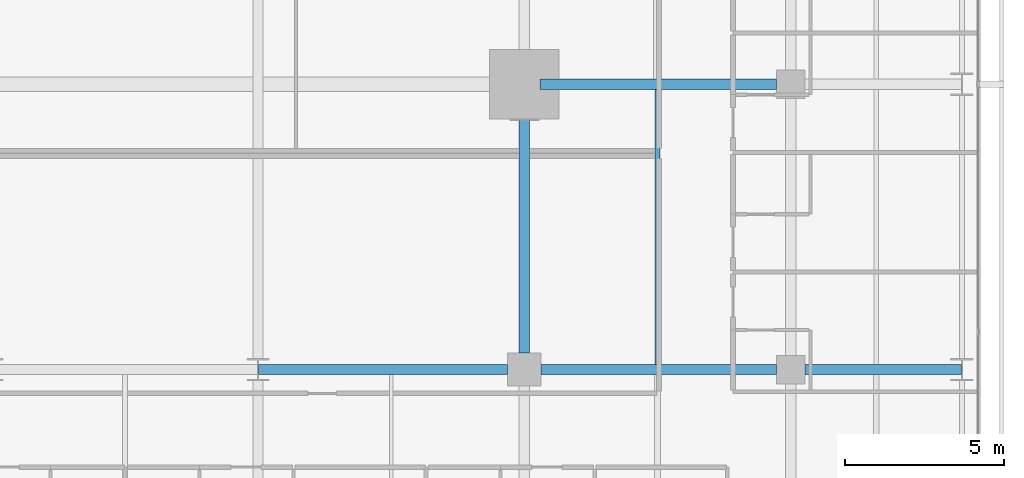
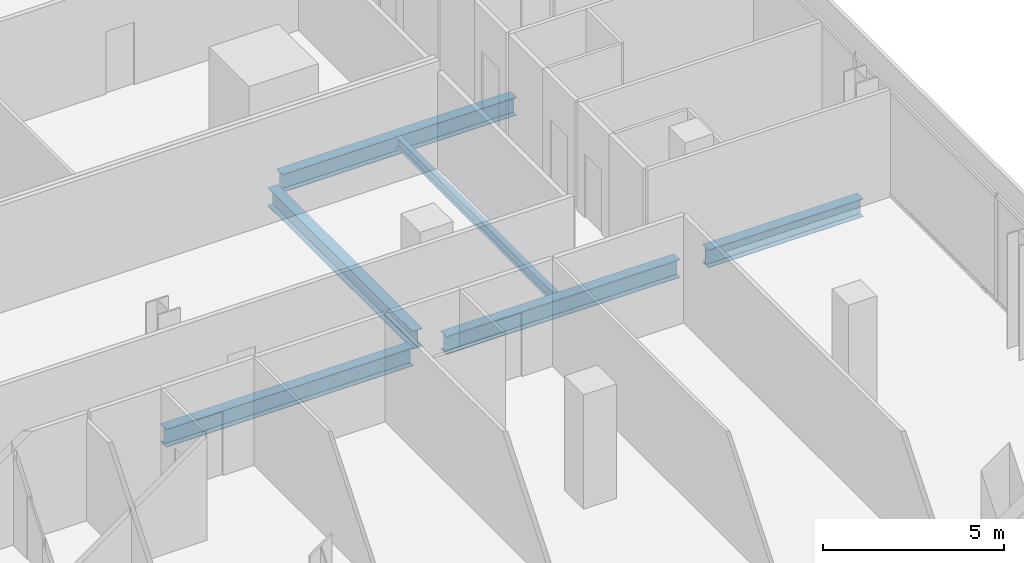
# One storey, part 18 of 40: 6 beams.
"""IFC4 building model written with IfcOpenShell, lengths in metres."""

import ifcopenshell
import ifcopenshell.guid

model = None  # the IFC model being written
_history = None  # IfcOwnerHistory: only IFC2X3 demands one
_inside = {}  # id of a spatial element -> (the spatial element, [elements in it])
_under = {}  # id of a project, library or spatial element -> (it, [spatial elements below it])
_declared = {}  # id of a project -> (the project, [libraries it declares])
_typed = {}  # id of a type object -> (the type object, [elements of that type])
_made_of = {}  # id of a material, layer set ... -> (it, [elements and type objects made of it])


def new_model(schema):
    """Start an empty IFC model of exactly this schema.

    Asked for "IFC4X3", IfcOpenShell would pick the latest addendum, in which some entities
    have other attributes; the version numbers below select the first issue.
    IFC2X3 requires an IfcOwnerHistory on every rooted entity: one is made here for all.
    """
    global model, _history
    if schema == "IFC4X3":
        model = ifcopenshell.file(schema_version=(4, 3, 0, 0))
    else:
        model = ifcopenshell.file(schema=schema)
    _inside.clear()
    _under.clear()
    _declared.clear()
    _typed.clear()
    _made_of.clear()
    _history = None
    if model.schema == "IFC2X3":
        org = make("IfcOrganization", Name="unknown")
        user = make(
            "IfcPersonAndOrganization",
            ThePerson=make("IfcPerson", FamilyName="unknown"),
            TheOrganization=org,
        )
        app = make(
            "IfcApplication",
            ApplicationDeveloper=org,
            Version="unknown",
            ApplicationFullName="unknown",
            ApplicationIdentifier="unknown",
        )
        _history = make(
            "IfcOwnerHistory",
            OwningUser=user,
            OwningApplication=app,
            ChangeAction="ADDED",
            CreationDate=0,
        )
    return model


def make(cls, **values):
    """One entity of the class cls with the attributes given. An attribute that is None is left unset."""
    return model.create_entity(
        cls, **{name: value for name, value in values.items() if value is not None}
    )


def rooted(cls, **values):
    """An entity with a GlobalId (a new one), such as an element, a storey or a relation."""
    return make(cls, GlobalId=ifcopenshell.guid.new(), OwnerHistory=_history, **values)


def si_unit(unit_type, name, prefix=None):
    """IfcSIUnit, for example si_unit("LENGTHUNIT", "METRE", prefix="MILLI")."""
    return make("IfcSIUnit", UnitType=unit_type, Prefix=prefix, Name=name)


def assignment(units):
    """IfcUnitAssignment: the units of a project."""
    return None if units is None else make("IfcUnitAssignment", Units=units)


def point(xyz):
    """IfcCartesianPoint."""
    return None if xyz is None else make("IfcCartesianPoint", Coordinates=xyz)


def direction(xyz):
    """IfcDirection."""
    return None if xyz is None else make("IfcDirection", DirectionRatios=xyz)


def frame(location, z_axis=None, x_axis=None):
    """IfcAxis2Placement3D, a coordinate frame: its origin and axes. An axis left out is left unset."""
    return make(
        "IfcAxis2Placement3D",
        Location=point(location),
        Axis=direction(z_axis),
        RefDirection=direction(x_axis),
    )


def frame_2d(location, x_axis=None):
    """IfcAxis2Placement2D, a coordinate frame in the plane: its origin and x axis."""
    return make(
        "IfcAxis2Placement2D", Location=point(location), RefDirection=direction(x_axis)
    )


def origin():
    """The frame at (0, 0, 0) with its axes left unset."""
    return frame((0.0, 0.0, 0.0))


def origin_2d():
    """The frame at (0, 0) in the plane with its x axis left unset."""
    return frame_2d((0.0, 0.0))


def place(relative_to, where):
    """IfcLocalPlacement: puts the frame where relative to a parent placement (None: the world)."""
    return make(
        "IfcLocalPlacement", PlacementRelTo=relative_to, RelativePlacement=where
    )


def context(
    kind, dimensions, precision=None, world=None, true_north=None, identifier=None
):
    """IfcGeometricRepresentationContext, for example the 3D "Model" context."""
    return make(
        "IfcGeometricRepresentationContext",
        ContextIdentifier=identifier,
        ContextType=kind,
        CoordinateSpaceDimension=dimensions,
        Precision=precision,
        WorldCoordinateSystem=world,
        TrueNorth=true_north,
    )


def subcontext(parent, identifier, kind, view, scale=None):
    """IfcGeometricRepresentationSubContext, for example "Body" below "Model"."""
    return make(
        "IfcGeometricRepresentationSubContext",
        ContextIdentifier=identifier,
        ContextType=kind,
        ParentContext=parent,
        TargetScale=scale,
        TargetView=view,
    )


def project(units=None, contexts=None):
    """IfcProject with its units and contexts."""
    return rooted(
        "IfcProject",
        Name="project",
        RepresentationContexts=contexts,
        UnitsInContext=assignment(units),
    )


def spatial(cls, under=None, at=None, **own):
    """A site, building, storey or space (cls), placed at a placement, below another one or the project."""
    s = rooted(cls, ObjectPlacement=at, **own)
    if under is not None:
        _under.setdefault(under.id(), (under, []))[1].append(s)
    return s


def profile(cls, at=None, kind="AREA", **sizes):
    """A parametric profile (cls). Its sizes go by their IFC names, for example OverallWidth=200.0."""
    return make(cls, ProfileType=kind, Position=at, **sizes)


def i_section(**sizes):
    """IfcIShapeProfileDef."""
    return profile("IfcIShapeProfileDef", **sizes)


def extrude(swept, where, along, depth):
    """IfcExtrudedAreaSolid: the profile swept, set in the frame where, extruded along a direction by depth."""
    return make(
        "IfcExtrudedAreaSolid",
        SweptArea=swept,
        Position=where,
        ExtrudedDirection=direction(along),
        Depth=depth,
    )


def shape(context_of_items, identifier, shape_type, items):
    """IfcShapeRepresentation: the items that make up one representation, for example the "Body"."""
    return make(
        "IfcShapeRepresentation",
        ContextOfItems=context_of_items,
        RepresentationIdentifier=identifier,
        RepresentationType=shape_type,
        Items=items,
    )


def material(Name=None, Category=None):
    """IfcMaterial."""
    return make("IfcMaterial", Name=Name, Category=Category)


def material_profile(
    of_material, cross_section, Name=None, Category=None, Priority=None
):
    """IfcMaterialProfile: a cross section and its material."""
    return make(
        "IfcMaterialProfile",
        Name=Name,
        Material=of_material,
        Profile=cross_section,
        Priority=Priority,
        Category=Category,
    )


def profile_set(profiles, Name=None, composite=None):
    """IfcMaterialProfileSet."""
    return make(
        "IfcMaterialProfileSet",
        Name=Name,
        MaterialProfiles=profiles,
        CompositeProfile=composite,
    )


def made_of(thing, what):
    """Note that an element or type object is made of a material, layer set ...; save() writes the relation."""
    if what is not None:
        _made_of.setdefault(what.id(), (what, []))[1].append(thing)
    return thing


def type_object(cls, material=None, **own):
    """A type object (cls), such as IfcWallType, which elements share."""
    return made_of(rooted(cls, **own), material)


def element(
    cls,
    number,
    at=None,
    inside=None,
    cuts=None,
    type_object=None,
    material=None,
    context=None,
    identifier="Body",
    shape_type=None,
    held_by="IfcProductDefinitionShape",
    body=None,
    shapes=None,
    **own,
):
    """One element of the class cls, such as IfcWall. Its Tag is "e" and its number.

    at: its placement. inside: the storey or other place that contains it. cuts: it is an
    opening in that element (IfcRelVoidsElement). A single representation is given by context,
    identifier, shape_type and body (its items); several are given by shapes. held_by: the class
    of the entity that holds the representations. save() writes the other relations.
    """
    e = rooted(cls, Tag="e%d" % number, ObjectPlacement=at, **own)
    if body is not None:
        shapes = [shape(context, identifier, shape_type, body)]
    if shapes is not None:
        e.Representation = make(held_by, Representations=shapes)
    if inside is not None:
        _inside.setdefault(inside.id(), (inside, []))[1].append(e)
    if cuts is not None:
        rooted(
            "IfcRelVoidsElement", RelatingBuildingElement=cuts, RelatedOpeningElement=e
        )
    if type_object is not None:
        _typed.setdefault(type_object.id(), (type_object, []))[1].append(e)
    return made_of(e, material)


def aggregate(whole, parts):
    """IfcRelAggregates: a whole, such as a stair, and the parts it consists of."""
    return rooted("IfcRelAggregates", RelatingObject=whole, RelatedObjects=parts)


def save(model, path):
    """Write the relations noted so far, then the file.

    IfcRelAggregates (storeys below a building ...), IfcRelContainedInSpatialStructure (elements
    in a storey), IfcRelDefinesByType, IfcRelAssociatesMaterial and IfcRelDeclares: one each for
    every whole, place, type object, material and project.
    """
    for whole, parts in _under.values():
        aggregate(whole, parts)
    for where, things in _inside.values():
        rooted(
            "IfcRelContainedInSpatialStructure",
            RelatedElements=things,
            RelatingStructure=where,
        )
    for kind, things in _typed.values():
        rooted("IfcRelDefinesByType", RelatedObjects=things, RelatingType=kind)
    for what, things in _made_of.values():
        rooted("IfcRelAssociatesMaterial", RelatedObjects=things, RelatingMaterial=what)
    for by, libraries in _declared.values():
        rooted("IfcRelDeclares", RelatingContext=by, RelatedDefinitions=libraries)
    model.write(path)


model = new_model("IFC4")

# Units and contexts
model_context = context("Model", 3, precision=1e-05, world=origin(), true_north=direction((0.0, 1.0)))
body_context = subcontext(model_context, "Body", "Model", "MODEL_VIEW")
ifc_project = project(units=[si_unit("LENGTHUNIT", "METRE"), si_unit("AREAUNIT", "SQUARE_METRE"), si_unit("VOLUMEUNIT", "CUBIC_METRE"), si_unit("PLANEANGLEUNIT", "RADIAN"), si_unit("MASSUNIT", "GRAM", prefix="KILO")], contexts=[model_context])

# Site, building, storey
site_placement = place(None, origin())
site = spatial("IfcSite", under=ifc_project, at=site_placement, CompositionType="ELEMENT")
building_placement = place(site_placement, origin())
building = spatial("IfcBuilding", under=site, at=building_placement, Name="Maruvema Waterfront Hotel and Observation Tower", CompositionType="ELEMENT")
storey_placement = place(building_placement, frame((0.0, 0.0, 100.10009765625)))
storey = spatial("IfcBuildingStorey", under=building, at=storey_placement, Name="L24", CompositionType="ELEMENT", Elevation=100.10009765625)

# Beams
ifc_material_1 = material(Name="Steel ASTM A572 Grade 50", Category="steel")
ifc_material_profile_1 = material_profile(ifc_material_1, i_section(OverallWidth=0.323974609375, OverallDepth=0.611083984375, WebThickness=0.0126953125, FlangeThickness=0.01904296875, FilletRadius=0.01806640625, at=origin_2d()), Name="W610x155.0")
ifc_profile_set_1 = profile_set([ifc_material_profile_1], Name="Steel ASTM A572 Grade 50")
beam_type_1 = type_object("IfcBeamType", Name="Primary Floor Girder W610x155.0", PredefinedType="BEAM", material=ifc_profile_set_1)
beam_1_placement = place(storey_placement, frame((42.013916015625, 18.0, -0.545654296875), z_axis=(1.0, 0.0, 0.0), x_axis=(0.0, 1.0, 0.0)))
element("IfcBeam", 1, at=beam_1_placement, inside=storey, type_object=beam_type_1, Name="L24 Floor Girder EW-17", PredefinedType="BEAM", context=body_context, shape_type="SweptSolid", body=[
    extrude(i_section(OverallWidth=0.323974609375, OverallDepth=0.611083984375, WebThickness=0.0126953125, FlangeThickness=0.01904296875, FilletRadius=0.01806640625, at=origin_2d()), origin(), (0.0, 0.0, 1.0), 7.861083984375),
])
beam_2_placement = place(storey_placement, frame((50.925048828125, 18.0, -0.545654296875), z_axis=(1.0, 0.0, 0.0), x_axis=(0.0, 1.0, 0.0)))
element("IfcBeam", 2, at=beam_2_placement, inside=storey, type_object=beam_type_1, Name="L24 Floor Girder EW-18", PredefinedType="BEAM", context=body_context, shape_type="SweptSolid", body=[
    extrude(i_section(OverallWidth=0.323974609375, OverallDepth=0.611083984375, WebThickness=0.0126953125, FlangeThickness=0.01904296875, FilletRadius=0.01806640625, at=origin_2d()), origin(), (0.0, 0.0, 1.0), 7.425048828125),
])
beam_3_placement = place(storey_placement, frame((59.25, 18.0, -0.545654296875), z_axis=(1.0, 0.0, 0.0), x_axis=(0.0, 1.0, 0.0)))
element("IfcBeam", 3, at=beam_3_placement, inside=storey, type_object=beam_type_1, Name="L24 Floor Girder EW-19", PredefinedType="BEAM", context=body_context, shape_type="SweptSolid", body=[
    extrude(i_section(OverallWidth=0.323974609375, OverallDepth=0.611083984375, WebThickness=0.0126953125, FlangeThickness=0.01904296875, FilletRadius=0.01806640625, at=origin_2d()), origin(), (0.0, 0.0, 1.0), 4.93603515625),
])
beam_4_placement = place(storey_placement, frame((50.89990234375, 27.0, -0.545654296875), z_axis=(1.0, 0.0, 0.0), x_axis=(0.0, 1.0, 0.0)))
element("IfcBeam", 4, at=beam_4_placement, inside=storey, type_object=beam_type_1, Name="L24 Floor Girder EW-23", PredefinedType="BEAM", context=body_context, shape_type="SweptSolid", body=[
    extrude(i_section(OverallWidth=0.323974609375, OverallDepth=0.611083984375, WebThickness=0.0126953125, FlangeThickness=0.01904296875, FilletRadius=0.01806640625, at=origin_2d()), origin(), (0.0, 0.0, 1.0), 7.4501953125),
])
beam_5_placement = place(storey_placement, frame((50.39990234375, 18.52490234375, -0.545654296875), z_axis=(0.0, 1.0, 0.0), x_axis=(-1.0, 0.0, 0.0)))
element("IfcBeam", 5, at=beam_5_placement, inside=storey, type_object=beam_type_1, Name="L24 Floor Girder NS-24", PredefinedType="BEAM", context=body_context, shape_type="SweptSolid", body=[
    extrude(i_section(OverallWidth=0.323974609375, OverallDepth=0.611083984375, WebThickness=0.0126953125, FlangeThickness=0.01904296875, FilletRadius=0.01806640625, at=origin_2d()), origin(), (0.0, 0.0, 1.0), 7.97509765625),
])
ifc_material_2 = material(Name="Steel ASTM A572 Grade 50", Category="steel")
ifc_material_profile_2 = material_profile(ifc_material_2, i_section(OverallWidth=0.1708984375, OverallDepth=0.35498046875, WebThickness=0.007080078125, FlangeThickness=0.01171875, FilletRadius=0.014892578125, at=origin_2d()), Name="W360x51.0")
ifc_profile_set_2 = profile_set([ifc_material_profile_2], Name="Steel ASTM A572 Grade 50")
beam_type_2 = type_object("IfcBeamType", Name="Secondary Floor Joist W360x51.0", PredefinedType="JOIST", material=ifc_profile_set_2)
beam_6_placement = place(storey_placement, frame((54.60009765625, 18.162109375, -0.41748046875), z_axis=(0.0, 1.0, 0.0), x_axis=(-1.0, 0.0, 0.0)))
element("IfcBeam", 6, at=beam_6_placement, inside=storey, type_object=beam_type_2, Name="L24 Secondary Floor Joist JS-18", PredefinedType="JOIST", context=body_context, shape_type="SweptSolid", body=[
    extrude(i_section(OverallWidth=0.1708984375, OverallDepth=0.35498046875, WebThickness=0.007080078125, FlangeThickness=0.01171875, FilletRadius=0.014892578125, at=origin_2d()), origin(), (0.0, 0.0, 1.0), 8.67578125),
])

save(model, "model.ifc")
